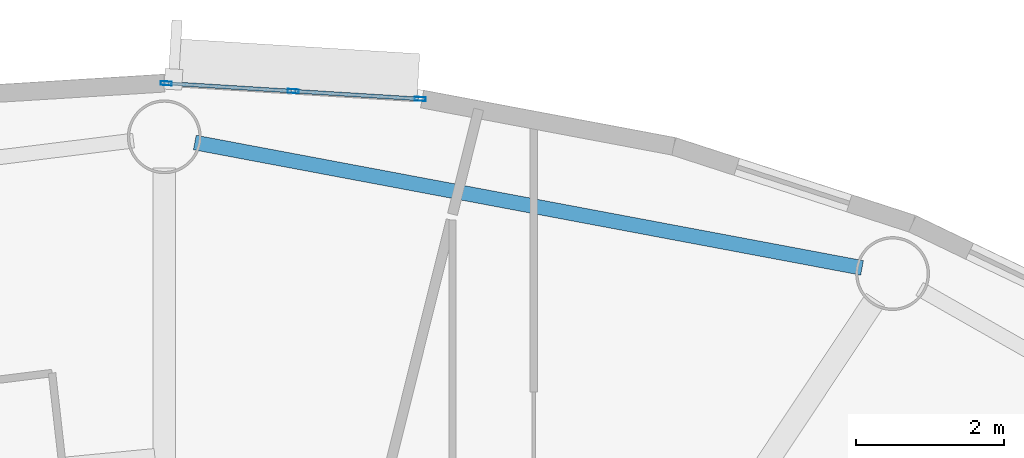
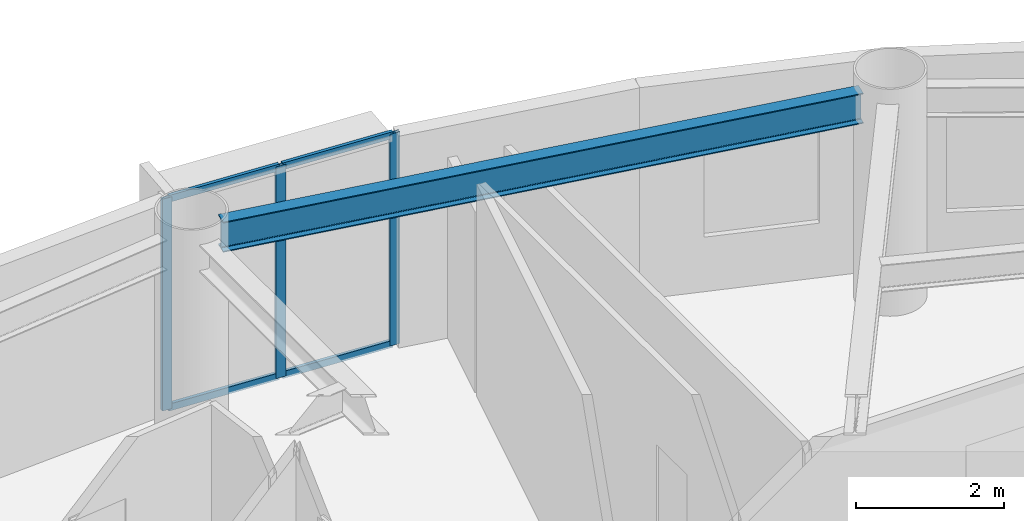
# One storey, part 4 of 18: 7 members, 1 beam, 1 element without a shape of its own.
"""IFC4 building model written with IfcOpenShell, lengths in metres."""

import ifcopenshell
import ifcopenshell.guid

model = None  # the IFC model being written
_history = None  # IfcOwnerHistory: only IFC2X3 demands one
_inside = {}  # id of a spatial element -> (the spatial element, [elements in it])
_under = {}  # id of a project, library or spatial element -> (it, [spatial elements below it])
_declared = {}  # id of a project -> (the project, [libraries it declares])
_typed = {}  # id of a type object -> (the type object, [elements of that type])
_made_of = {}  # id of a material, layer set ... -> (it, [elements and type objects made of it])


def new_model(schema):
    """Start an empty IFC model of exactly this schema.

    Asked for "IFC4X3", IfcOpenShell would pick the latest addendum, in which some entities
    have other attributes; the version numbers below select the first issue.
    IFC2X3 requires an IfcOwnerHistory on every rooted entity: one is made here for all.
    """
    global model, _history
    if schema == "IFC4X3":
        model = ifcopenshell.file(schema_version=(4, 3, 0, 0))
    else:
        model = ifcopenshell.file(schema=schema)
    _inside.clear()
    _under.clear()
    _declared.clear()
    _typed.clear()
    _made_of.clear()
    _history = None
    if model.schema == "IFC2X3":
        org = make("IfcOrganization", Name="unknown")
        user = make(
            "IfcPersonAndOrganization",
            ThePerson=make("IfcPerson", FamilyName="unknown"),
            TheOrganization=org,
        )
        app = make(
            "IfcApplication",
            ApplicationDeveloper=org,
            Version="unknown",
            ApplicationFullName="unknown",
            ApplicationIdentifier="unknown",
        )
        _history = make(
            "IfcOwnerHistory",
            OwningUser=user,
            OwningApplication=app,
            ChangeAction="ADDED",
            CreationDate=0,
        )
    return model


def make(cls, **values):
    """One entity of the class cls with the attributes given. An attribute that is None is left unset."""
    return model.create_entity(
        cls, **{name: value for name, value in values.items() if value is not None}
    )


def rooted(cls, **values):
    """An entity with a GlobalId (a new one), such as an element, a storey or a relation."""
    return make(cls, GlobalId=ifcopenshell.guid.new(), OwnerHistory=_history, **values)


def si_unit(unit_type, name, prefix=None):
    """IfcSIUnit, for example si_unit("LENGTHUNIT", "METRE", prefix="MILLI")."""
    return make("IfcSIUnit", UnitType=unit_type, Prefix=prefix, Name=name)


def assignment(units):
    """IfcUnitAssignment: the units of a project."""
    return None if units is None else make("IfcUnitAssignment", Units=units)


def point(xyz):
    """IfcCartesianPoint."""
    return None if xyz is None else make("IfcCartesianPoint", Coordinates=xyz)


def direction(xyz):
    """IfcDirection."""
    return None if xyz is None else make("IfcDirection", DirectionRatios=xyz)


def frame(location, z_axis=None, x_axis=None):
    """IfcAxis2Placement3D, a coordinate frame: its origin and axes. An axis left out is left unset."""
    return make(
        "IfcAxis2Placement3D",
        Location=point(location),
        Axis=direction(z_axis),
        RefDirection=direction(x_axis),
    )


def frame_2d(location, x_axis=None):
    """IfcAxis2Placement2D, a coordinate frame in the plane: its origin and x axis."""
    return make(
        "IfcAxis2Placement2D", Location=point(location), RefDirection=direction(x_axis)
    )


def origin():
    """The frame at (0, 0, 0) with its axes left unset."""
    return frame((0.0, 0.0, 0.0))


def origin_2d():
    """The frame at (0, 0) in the plane with its x axis left unset."""
    return frame_2d((0.0, 0.0))


def place(relative_to, where):
    """IfcLocalPlacement: puts the frame where relative to a parent placement (None: the world)."""
    return make(
        "IfcLocalPlacement", PlacementRelTo=relative_to, RelativePlacement=where
    )


def context(
    kind, dimensions, precision=None, world=None, true_north=None, identifier=None
):
    """IfcGeometricRepresentationContext, for example the 3D "Model" context."""
    return make(
        "IfcGeometricRepresentationContext",
        ContextIdentifier=identifier,
        ContextType=kind,
        CoordinateSpaceDimension=dimensions,
        Precision=precision,
        WorldCoordinateSystem=world,
        TrueNorth=true_north,
    )


def subcontext(parent, identifier, kind, view, scale=None):
    """IfcGeometricRepresentationSubContext, for example "Body" below "Model"."""
    return make(
        "IfcGeometricRepresentationSubContext",
        ContextIdentifier=identifier,
        ContextType=kind,
        ParentContext=parent,
        TargetScale=scale,
        TargetView=view,
    )


def project(units=None, contexts=None):
    """IfcProject with its units and contexts."""
    return rooted(
        "IfcProject",
        Name="project",
        RepresentationContexts=contexts,
        UnitsInContext=assignment(units),
    )


def spatial(cls, under=None, at=None, **own):
    """A site, building, storey or space (cls), placed at a placement, below another one or the project."""
    s = rooted(cls, ObjectPlacement=at, **own)
    if under is not None:
        _under.setdefault(under.id(), (under, []))[1].append(s)
    return s


def profile(cls, at=None, kind="AREA", **sizes):
    """A parametric profile (cls). Its sizes go by their IFC names, for example OverallWidth=200.0."""
    return make(cls, ProfileType=kind, Position=at, **sizes)


def hollow_rectangle(**sizes):
    """IfcRectangleHollowProfileDef."""
    return profile("IfcRectangleHollowProfileDef", **sizes)


def i_section(**sizes):
    """IfcIShapeProfileDef."""
    return profile("IfcIShapeProfileDef", **sizes)


def extrude(swept, where, along, depth):
    """IfcExtrudedAreaSolid: the profile swept, set in the frame where, extruded along a direction by depth."""
    return make(
        "IfcExtrudedAreaSolid",
        SweptArea=swept,
        Position=where,
        ExtrudedDirection=direction(along),
        Depth=depth,
    )


def shape(context_of_items, identifier, shape_type, items):
    """IfcShapeRepresentation: the items that make up one representation, for example the "Body"."""
    return make(
        "IfcShapeRepresentation",
        ContextOfItems=context_of_items,
        RepresentationIdentifier=identifier,
        RepresentationType=shape_type,
        Items=items,
    )


def source(mapping_origin, context_of_items, identifier, shape_type, items):
    """IfcRepresentationMap: a shape defined once, which mapped items show again and again."""
    return make(
        "IfcRepresentationMap",
        MappingOrigin=mapping_origin,
        MappedRepresentation=shape(context_of_items, identifier, shape_type, items),
    )


def transform(
    local_origin,
    x_axis=None,
    y_axis=None,
    z_axis=None,
    scale=None,
    scale2=None,
    scale3=None,
    uniform=True,
):
    """IfcCartesianTransformationOperator3D, or its non-uniform kind. x_axis, y_axis, z_axis: its Axis1, 2, 3."""
    if uniform:
        return make(
            "IfcCartesianTransformationOperator3D",
            Axis1=direction(x_axis),
            Axis2=direction(y_axis),
            LocalOrigin=point(local_origin),
            Scale=scale,
            Axis3=direction(z_axis),
        )
    return make(
        "IfcCartesianTransformationOperator3DnonUniform",
        Axis1=direction(x_axis),
        Axis2=direction(y_axis),
        LocalOrigin=point(local_origin),
        Scale=scale,
        Axis3=direction(z_axis),
        Scale2=scale2,
        Scale3=scale3,
    )


def mapped(mapping_source, mapping_target):
    """IfcMappedItem: shows the shape of a source again, moved by a transform."""
    return make(
        "IfcMappedItem", MappingSource=mapping_source, MappingTarget=mapping_target
    )


def material(Name=None, Category=None):
    """IfcMaterial."""
    return make("IfcMaterial", Name=Name, Category=Category)


def layer(
    of_material, thickness, ventilated=None, Name=None, Category=None, Priority=None
):
    """IfcMaterialLayer: one layer of a wall or slab, of a material (None: an air gap)."""
    return make(
        "IfcMaterialLayer",
        Material=of_material,
        LayerThickness=thickness,
        IsVentilated=ventilated,
        Name=Name,
        Category=Category,
        Priority=Priority,
    )


def layer_set(layers, Name=None):
    """IfcMaterialLayerSet."""
    return make("IfcMaterialLayerSet", MaterialLayers=layers, LayerSetName=Name)


def material_profile(
    of_material, cross_section, Name=None, Category=None, Priority=None
):
    """IfcMaterialProfile: a cross section and its material."""
    return make(
        "IfcMaterialProfile",
        Name=Name,
        Material=of_material,
        Profile=cross_section,
        Priority=Priority,
        Category=Category,
    )


def profile_set(profiles, Name=None, composite=None):
    """IfcMaterialProfileSet."""
    return make(
        "IfcMaterialProfileSet",
        Name=Name,
        MaterialProfiles=profiles,
        CompositeProfile=composite,
    )


def made_of(thing, what):
    """Note that an element or type object is made of a material, layer set ...; save() writes the relation."""
    if what is not None:
        _made_of.setdefault(what.id(), (what, []))[1].append(thing)
    return thing


def type_object(cls, material=None, **own):
    """A type object (cls), such as IfcWallType, which elements share."""
    return made_of(rooted(cls, **own), material)


def element(
    cls,
    number,
    at=None,
    inside=None,
    cuts=None,
    type_object=None,
    material=None,
    context=None,
    identifier="Body",
    shape_type=None,
    held_by="IfcProductDefinitionShape",
    body=None,
    shapes=None,
    **own,
):
    """One element of the class cls, such as IfcWall. Its Tag is "e" and its number.

    at: its placement. inside: the storey or other place that contains it. cuts: it is an
    opening in that element (IfcRelVoidsElement). A single representation is given by context,
    identifier, shape_type and body (its items); several are given by shapes. held_by: the class
    of the entity that holds the representations. save() writes the other relations.
    """
    e = rooted(cls, Tag="e%d" % number, ObjectPlacement=at, **own)
    if body is not None:
        shapes = [shape(context, identifier, shape_type, body)]
    if shapes is not None:
        e.Representation = make(held_by, Representations=shapes)
    if inside is not None:
        _inside.setdefault(inside.id(), (inside, []))[1].append(e)
    if cuts is not None:
        rooted(
            "IfcRelVoidsElement", RelatingBuildingElement=cuts, RelatedOpeningElement=e
        )
    if type_object is not None:
        _typed.setdefault(type_object.id(), (type_object, []))[1].append(e)
    return made_of(e, material)


def aggregate(whole, parts):
    """IfcRelAggregates: a whole, such as a stair, and the parts it consists of."""
    return rooted("IfcRelAggregates", RelatingObject=whole, RelatedObjects=parts)


def save(model, path):
    """Write the relations noted so far, then the file.

    IfcRelAggregates (storeys below a building ...), IfcRelContainedInSpatialStructure (elements
    in a storey), IfcRelDefinesByType, IfcRelAssociatesMaterial and IfcRelDeclares: one each for
    every whole, place, type object, material and project.
    """
    for whole, parts in _under.values():
        aggregate(whole, parts)
    for where, things in _inside.values():
        rooted(
            "IfcRelContainedInSpatialStructure",
            RelatedElements=things,
            RelatingStructure=where,
        )
    for kind, things in _typed.values():
        rooted("IfcRelDefinesByType", RelatedObjects=things, RelatingType=kind)
    for what, things in _made_of.values():
        rooted("IfcRelAssociatesMaterial", RelatedObjects=things, RelatingMaterial=what)
    for by, libraries in _declared.values():
        rooted("IfcRelDeclares", RelatingContext=by, RelatedDefinitions=libraries)
    model.write(path)


model = new_model("IFC4")

# Units and contexts
model_context = context("Model", 3, precision=1e-05, world=origin(), true_north=direction((0.0, 1.0)))
body_context = subcontext(model_context, "Body", "Model", "MODEL_VIEW")
ifc_project = project(units=[si_unit("LENGTHUNIT", "METRE"), si_unit("AREAUNIT", "SQUARE_METRE"), si_unit("VOLUMEUNIT", "CUBIC_METRE"), si_unit("PLANEANGLEUNIT", "RADIAN"), si_unit("MASSUNIT", "GRAM", prefix="KILO")], contexts=[model_context])

# Site, building, storey
site_placement = place(None, origin())
site = spatial("IfcSite", under=ifc_project, at=site_placement, CompositionType="ELEMENT")
building_placement = place(site_placement, origin())
building = spatial("IfcBuilding", under=site, at=building_placement, Name="Linh Dai School and Residence Tower", CompositionType="ELEMENT")
storey_placement = place(building_placement, frame((0.0, 0.0, 295.5)))
storey = spatial("IfcBuildingStorey", under=building, at=storey_placement, Name="L73", CompositionType="ELEMENT", Elevation=295.5)

# Beam
ifc_material_1 = material(Name="Structural Steel S355JR", Category="steel")
ifc_material_profile_1 = material_profile(ifc_material_1, i_section(OverallWidth=0.199951171875, OverallDepth=0.5, WebThickness=0.01025390625, FlangeThickness=0.01611328125, FilletRadius=0.02099609375, at=origin_2d()), Name="IPE 500")
ifc_profile_set_1 = profile_set([ifc_material_profile_1], Name="Structural Steel S355JR")
beam_type = type_object("IfcBeamType", Name="BM-RB50", PredefinedType="BEAM", material=ifc_profile_set_1)
beam_placement = place(storey_placement, frame((45.441650390625, 41.916259765625, 3.25), z_axis=(-0.982805333306, 0.184644731378, 0.0), x_axis=(-0.184644731378, -0.982805333306, 0.0)))
element("IfcBeam", 1, at=beam_placement, inside=storey, type_object=beam_type, Name="L73 Perimeter Elliptical Ring Beam 04", PredefinedType="BEAM", context=body_context, shape_type="SweptSolid", body=[
    extrude(i_section(OverallWidth=0.199951171875, OverallDepth=0.5, WebThickness=0.01025390625, FlangeThickness=0.01611328125, FilletRadius=0.02099609375, at=origin_2d()), origin(), (0.0, 0.0, 1.0), 9.186767578125),
])

# Curtain wall, members
ifc_material_2 = material(Name="Aluminium Anodised Curtain Wall", Category="aluminium")
ifc_layer = layer(ifc_material_2, 0.14990234375)
ifc_layer_set = layer_set([ifc_layer], Name="Aluminium Anodised Curtain Wall")
curtain_wall_type = type_object("IfcCurtainWallType", Name="CW-SYS-4", PredefinedType="USERDEFINED", material=ifc_layer_set)
curtain_wall_placement = place(storey_placement, origin())
curtain_wall = element("IfcCurtainWall", 2, at=curtain_wall_placement, inside=storey, type_object=curtain_wall_type, Name="L73 CW4 Curtain Wall 10", ObjectType="RIBBON CURTAIN WALL", PredefinedType="USERDEFINED")
ifc_material_3 = material(Name="Aluminium Alloy 6063-T6", Category="aluminium")
ifc_material_profile_2 = material_profile(ifc_material_3, hollow_rectangle(XDim=0.052001953125, YDim=0.14990234375, WallThickness=0.00390625, at=origin_2d()), Name="RHS 150x52x4")
ifc_profile_set_2 = profile_set([ifc_material_profile_2], Name="Aluminium Alloy 6063-T6")
member_type_1 = type_object("IfcMemberType", Name="CW-SYS-4-MUL", PredefinedType="MULLION", material=ifc_profile_set_2)
shared_shape_1 = source(origin(), body_context, "Body", "SweptSolid", [
    extrude(hollow_rectangle(XDim=0.052001953125, YDim=0.14990234375, WallThickness=0.00390625, at=origin_2d()), origin(), (0.0, 0.0, 1.0), 3.5),
])
member_1_placement = place(storey_placement, frame((36.02587890625, 44.413330078125, 0.0), z_axis=(0.0, 0.0, 1.0), x_axis=(0.061509965157, 0.998106469364, 0.0)))
member_1 = element("IfcMember", 3, at=member_1_placement, type_object=member_type_1, Name="CW4 mullion 1", PredefinedType="MULLION", context=body_context, shape_type="MappedRepresentation", body=[
    mapped(shared_shape_1, transform((0.0, 0.0, 0.0), x_axis=(1.0, 0.0, 0.0), y_axis=(0.0, 1.0, 0.0), z_axis=(0.0, 0.0, 1.0), scale=1.0)),
])
member_2_placement = place(storey_placement, frame((37.744384765625, 44.3076171875, 0.0), z_axis=(0.0, 0.0, 1.0), x_axis=(0.061509965157, 0.998106469364, 0.0)))
member_2 = element("IfcMember", 4, at=member_2_placement, type_object=member_type_1, Name="CW4 mullion 2", PredefinedType="MULLION", context=body_context, shape_type="MappedRepresentation", body=[
    mapped(shared_shape_1, transform((0.0, 0.0, 0.0), x_axis=(1.0, 0.0, 0.0), y_axis=(0.0, 1.0, 0.0), z_axis=(0.0, 0.0, 1.0), scale=1.0)),
])
member_3_placement = place(storey_placement, frame((39.462890625, 44.20166015625, 0.0), z_axis=(0.0, 0.0, 1.0), x_axis=(0.061509965157, 0.998106469364, 0.0)))
member_3 = element("IfcMember", 5, at=member_3_placement, type_object=member_type_1, Name="CW4 mullion 3", PredefinedType="MULLION", context=body_context, shape_type="MappedRepresentation", body=[
    mapped(shared_shape_1, transform((0.0, 0.0, 0.0), x_axis=(1.0, 0.0, 0.0), y_axis=(0.0, 1.0, 0.0), z_axis=(0.0, 0.0, 1.0), scale=1.0)),
])
ifc_material_profile_3 = material_profile(ifc_material_3, hollow_rectangle(XDim=0.052001953125, YDim=0.114990234375, WallThickness=0.00390625, at=origin_2d()), Name="RHS 115x52x4")
ifc_profile_set_3 = profile_set([ifc_material_profile_3], Name="Aluminium Alloy 6063-T6")
member_type_2 = type_object("IfcMemberType", Name="CW-SYS-4-TRN", PredefinedType="USERDEFINED", material=ifc_profile_set_3)
shared_shape_2 = source(origin(), body_context, "Body", "SweptSolid", [
    extrude(hollow_rectangle(XDim=0.052001953125, YDim=0.114990234375, WallThickness=0.00390625, at=origin_2d()), origin(), (0.0, 0.0, 1.0), 1.669677734375),
])
member_4_placement = place(storey_placement, frame((36.052001953125, 44.411865234375, 0.02587890625), z_axis=(0.99810344795, -0.061558973277, 0.0), x_axis=(0.061558973277, 0.99810344795, 0.0)))
member_4 = element("IfcMember", 6, at=member_4_placement, type_object=member_type_2, Name="CW4 transom 1.1", ObjectType="TRANSOM", PredefinedType="USERDEFINED", context=body_context, shape_type="MappedRepresentation", body=[
    mapped(shared_shape_2, transform((0.0, 0.0, 0.0), x_axis=(1.0, 0.0, 0.0), y_axis=(0.0, 1.0, 0.0), z_axis=(0.0, 0.0, 1.0), scale=1.0)),
])
member_5_placement = place(storey_placement, frame((36.052001953125, 44.411865234375, 3.47412109375), z_axis=(0.99810344795, -0.061558973277, 0.0), x_axis=(0.061558973277, 0.99810344795, 0.0)))
member_5 = element("IfcMember", 7, at=member_5_placement, type_object=member_type_2, Name="CW4 transom 1.2", ObjectType="TRANSOM", PredefinedType="USERDEFINED", context=body_context, shape_type="MappedRepresentation", body=[
    mapped(shared_shape_2, transform((0.0, 0.0, 0.0), x_axis=(1.0, 0.0, 0.0), y_axis=(0.0, 1.0, 0.0), z_axis=(0.0, 0.0, 1.0), scale=1.0)),
])
member_6_placement = place(storey_placement, frame((37.770263671875, 44.305908203125, 0.02587890625), z_axis=(0.99810344795, -0.061558973277, 0.0), x_axis=(0.061558973277, 0.99810344795, 0.0)))
member_6 = element("IfcMember", 8, at=member_6_placement, type_object=member_type_2, Name="CW4 transom 2.1", ObjectType="TRANSOM", PredefinedType="USERDEFINED", context=body_context, shape_type="MappedRepresentation", body=[
    mapped(shared_shape_2, transform((0.0, 0.0, 0.0), x_axis=(1.0, 0.0, 0.0), y_axis=(0.0, 1.0, 0.0), z_axis=(0.0, 0.0, 1.0), scale=1.0)),
])
member_7_placement = place(storey_placement, frame((37.770263671875, 44.305908203125, 3.47412109375), z_axis=(0.99810344795, -0.061558973277, 0.0), x_axis=(0.061558973277, 0.99810344795, 0.0)))
member_7 = element("IfcMember", 9, at=member_7_placement, type_object=member_type_2, Name="CW4 transom 2.2", ObjectType="TRANSOM", PredefinedType="USERDEFINED", context=body_context, shape_type="MappedRepresentation", body=[
    mapped(shared_shape_2, transform((0.0, 0.0, 0.0), x_axis=(1.0, 0.0, 0.0), y_axis=(0.0, 1.0, 0.0), z_axis=(0.0, 0.0, 1.0), scale=1.0)),
])
aggregate(curtain_wall, [member_1, member_2, member_3, member_4, member_5, member_6, member_7])

save(model, "model.ifc")
